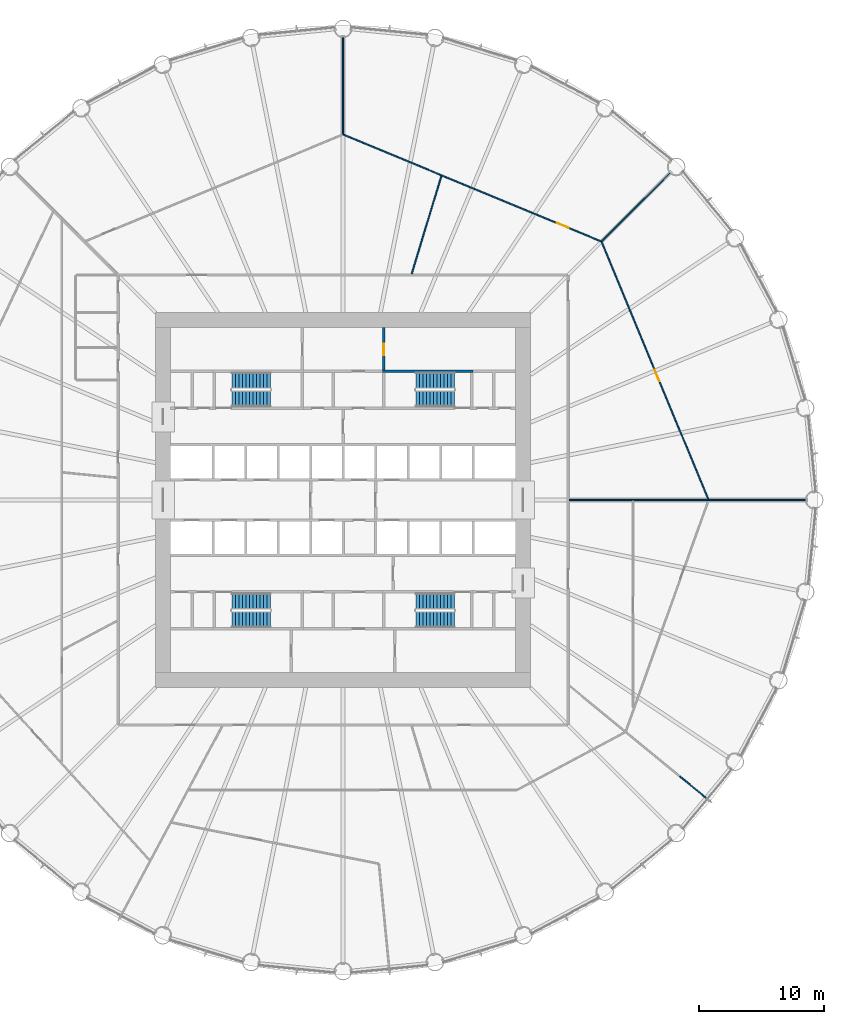
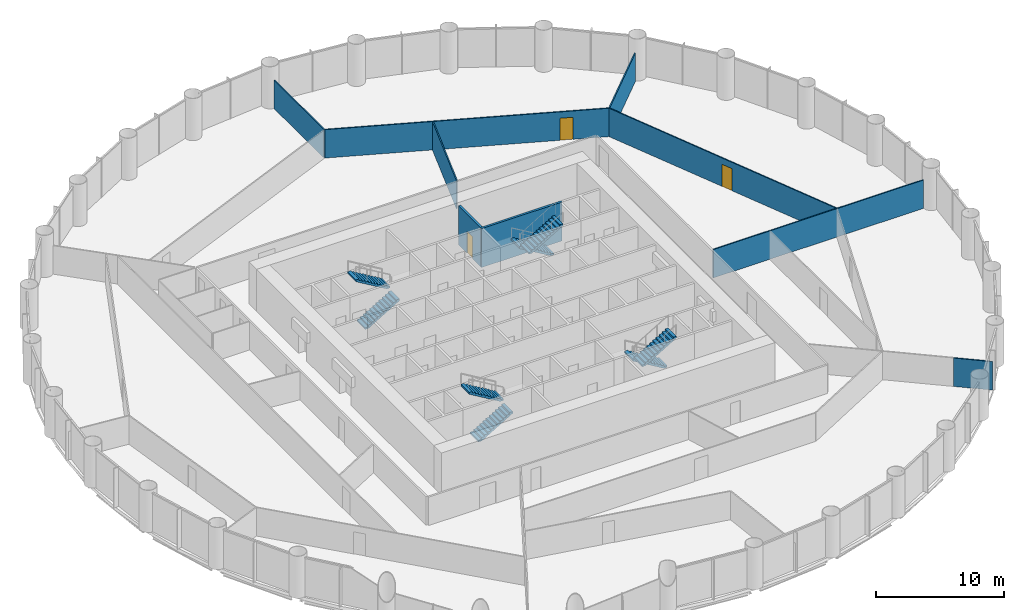
# One storey, part 14 of 15: 9 walls, 8 stair flights, 3 doors, 3 openings, 4 elements without a shape of their own.
"""IFC4 building model written with IfcOpenShell, lengths in metres."""

from ifc_helpers import new_model, si_unit, direction, frame, frame_2d, origin, place, context, subcontext, project, spatial, polyline, rectangle, outline, extrude, material, layer, layer_set, type_object, element, fill, aggregate, save


model = new_model("IFC4")

# Units and contexts
model_context = context("Model", 3, precision=1e-05, world=origin(), true_north=direction((0.0, 1.0)))
body_context = subcontext(model_context, "Body", "Model", "MODEL_VIEW")
ifc_project = project(units=[si_unit("LENGTHUNIT", "METRE"), si_unit("AREAUNIT", "SQUARE_METRE"), si_unit("VOLUMEUNIT", "CUBIC_METRE"), si_unit("PLANEANGLEUNIT", "RADIAN"), si_unit("MASSUNIT", "GRAM", prefix="KILO")], contexts=[model_context])

# Site, building, storey
site_placement = place(None, origin())
site = spatial("IfcSite", under=ifc_project, at=site_placement, CompositionType="ELEMENT")
building_placement = place(site_placement, origin())
building = spatial("IfcBuilding", under=site, at=building_placement, Name="Corvane Civic Tower", CompositionType="ELEMENT")
storey_placement = place(building_placement, frame((0.0, 0.0, 61.0)))
storey = spatial("IfcBuildingStorey", under=building, at=storey_placement, Name="L13", CompositionType="ELEMENT", Elevation=61.0)

# Wall, opening, door
ifc_material_1 = material(Name="Concrete C30/37", Category="concrete")
ifc_layer_1 = layer(ifc_material_1, 0.199951171875)
ifc_layer_set_1 = layer_set([ifc_layer_1], Name="Concrete C30/37")
wall_type_1 = type_object("IfcWallType", Name="CR-WALL-200", PredefinedType="PARTITIONING", material=ifc_layer_set_1)
wall_1_placement = place(storey_placement, frame((3.25, 10.39990234375, 0.0), z_axis=(0.0, 0.0, 1.0), x_axis=(0.0, 1.0, 0.0)))
wall_1 = element("IfcWall", 1, at=wall_1_placement, inside=storey, type_object=wall_type_1, Name="L13 partition wall", PredefinedType="PARTITIONING", context=body_context, shape_type="SweptSolid", body=[
    extrude(rectangle(XDim=3.400146484375, YDim=0.199951171875, at=frame_2d((1.7001953125, 0.0))), origin(), (0.0, 0.0, 1.0), 3.699951171875),
])
opening_1_placement = place(wall_1_placement, frame((1.199951171875, 0.0, 0.0)))
opening_1 = element("IfcOpeningElement", 2, at=opening_1_placement, cuts=wall_1, Name="Opening L13.C08", PredefinedType="OPENING", context=body_context, shape_type="SweptSolid", body=[
    extrude(rectangle(XDim=0.89990234375, YDim=2.10009765625, at=frame_2d((0.449951171875, 1.050048828125))), frame((0.0, 0.10986328125, 0.0), z_axis=(0.0, -1.0, 0.0), x_axis=(1.0, 0.0, 0.0)), (0.0, 0.0, 1.0), 0.219970703125),
])
ifc_material_2 = material(Name="Steel fire door leaf", Category="steel")
door_type_1 = type_object("IfcDoorType", Name="CR-DOOR-900", OperationType="SINGLE_SWING_LEFT", PredefinedType="DOOR", material=ifc_material_2)
door_1_placement = place(opening_1_placement, origin())
door_1 = element("IfcDoor", 3, at=door_1_placement, inside=storey, type_object=door_type_1, Name="L13 door", OperationType="SINGLE_SWING_LEFT", OverallHeight=2.10009765625, OverallWidth=0.89990234375, PredefinedType="DOOR", context=body_context, shape_type="SweptSolid", body=[
    extrude(rectangle(XDim=0.89990234375, YDim=2.10009765625, at=frame_2d((0.449951171875, 1.050048828125))), frame((0.0, 0.02490234375, 0.0), z_axis=(0.0, -1.0, 0.0), x_axis=(1.0, 0.0, 0.0)), (0.0, 0.0, 1.0), 0.050048828125),
])
fill(opening_1, door_1)

# Walls
ifc_material_3 = material(Name="Plasterboard")
ifc_layer_2 = layer(ifc_material_3, 0.10009765625)
ifc_layer_set_2 = layer_set([ifc_layer_2], Name="Plasterboard")
wall_type_2 = type_object("IfcWallType", Name="Partition 100 plasterboard on studs", PredefinedType="PARTITIONING", material=ifc_layer_set_2)
wall_2_placement = place(storey_placement, frame((26.934814453125, -22.104736328125, 0.0), z_axis=(0.0, 0.0, 1.0), x_axis=(0.773024942362, -0.634375628856, 0.0)))
element("IfcWall", 4, at=wall_2_placement, inside=storey, type_object=wall_type_2, Name="Partition L13.005", PredefinedType="PARTITIONING", context=body_context, shape_type="SweptSolid", body=[
    extrude(rectangle(XDim=3.106201171875, YDim=0.10009765625, at=frame_2d((1.55322265625, 0.0))), origin(), (0.0, 0.0, 1.0), 2.699951171875),
])
wall_3_placement = place(storey_placement, frame((18.074951171875, 0.0, 0.0), z_axis=(0.0, 0.0, 1.0), x_axis=(1.0, 0.0, 0.0)))
element("IfcWall", 5, at=wall_3_placement, inside=storey, type_object=wall_type_2, Name="Partition L13.019", PredefinedType="PARTITIONING", context=body_context, shape_type="SweptSolid", body=[
    extrude(rectangle(XDim=18.9150390625, YDim=0.10009765625, at=frame_2d((9.45751953125, 0.0))), origin(), (0.0, 0.0, 1.0), 2.699951171875),
])

# Wall, opening, door
wall_4_placement = place(storey_placement, frame((20.6884765625, 20.644775390625, 0.0), z_axis=(0.0, 0.0, 1.0), x_axis=(0.382682584539, -0.923879883692, 0.0)))
wall_4 = element("IfcWall", 6, at=wall_4_placement, inside=storey, type_object=wall_type_2, Name="Partition L13.020", PredefinedType="PARTITIONING", context=body_context, shape_type="SweptSolid", body=[
    extrude(rectangle(XDim=22.27099609375, YDim=0.10009765625, at=frame_2d((11.135498046875, 0.0))), origin(), (0.0, 0.0, 1.0), 2.699951171875),
])
opening_2_placement = place(wall_4_placement, frame((11.07177734375, 0.0, 0.0)))
opening_2 = element("IfcOpeningElement", 7, at=opening_2_placement, cuts=wall_4, Name="Opening L13.020", PredefinedType="OPENING", context=body_context, shape_type="SweptSolid", body=[
    extrude(rectangle(XDim=1.0, YDim=2.10009765625, at=frame_2d((0.5, 1.050048828125))), frame((0.0, 0.06005859375, 0.0), z_axis=(0.0, -1.0, 0.0), x_axis=(1.0, 0.0, 0.0)), (0.0, 0.0, 1.0), 0.1201171875),
])
ifc_material_4 = material(Name="Timber", Category="wood")
door_type_2 = type_object("IfcDoorType", Name="Single door 1000", OperationType="NOTDEFINED", PredefinedType="DOOR", material=ifc_material_4)
door_2_placement = place(opening_2_placement, origin())
door_2 = element("IfcDoor", 8, at=door_2_placement, inside=storey, type_object=door_type_2, Name="Door L13.020", OperationType="SINGLE_SWING_RIGHT", OverallHeight=2.10009765625, OverallWidth=1.0, PredefinedType="DOOR", context=body_context, shape_type="SweptSolid", body=[
    extrude(rectangle(XDim=1.0, YDim=2.10009765625, at=frame_2d((0.5, 1.050048828125))), frame((0.0, 0.02490234375, 0.0), z_axis=(0.0, -1.0, 0.0), x_axis=(1.0, 0.0, 0.0)), (0.0, 0.0, 1.0), 0.050048828125),
])
fill(opening_2, door_2)

# Wall
wall_5_placement = place(storey_placement, frame((5.4873046875, 18.089599609375, 0.0), z_axis=(0.0, 0.0, 1.0), x_axis=(0.290307025947, 0.956933556045, 0.0)))
element("IfcWall", 9, at=wall_5_placement, inside=storey, type_object=wall_type_2, Name="Partition L13.031", PredefinedType="PARTITIONING", context=body_context, shape_type="SweptSolid", body=[
    extrude(rectangle(XDim=8.18603515625, YDim=0.10009765625, at=frame_2d((4.093017578125, 0.0))), origin(), (0.0, 0.0, 1.0), 2.699951171875),
])

# Wall, opening, door
wall_6_placement = place(storey_placement, frame((0.031005859375, 29.22705078125, 0.0), z_axis=(0.0, 0.0, 1.0), x_axis=(0.923878402591, -0.382686160222, 0.0)))
wall_6 = element("IfcWall", 10, at=wall_6_placement, inside=storey, type_object=wall_type_2, Name="Partition L13.032", PredefinedType="PARTITIONING", context=body_context, shape_type="SweptSolid", body=[
    extrude(rectangle(XDim=22.312255859375, YDim=0.10009765625, at=frame_2d((11.15625, 0.0))), origin(), (0.0, 0.0, 1.0), 2.699951171875),
])
opening_3_placement = place(wall_6_placement, frame((18.4853515625, 0.0, 0.0)))
opening_3 = element("IfcOpeningElement", 11, at=opening_3_placement, cuts=wall_6, Name="Opening L13.019", PredefinedType="OPENING", context=body_context, shape_type="SweptSolid", body=[
    extrude(rectangle(XDim=1.0, YDim=2.10009765625, at=frame_2d((0.5, 1.050048828125))), frame((0.0, 0.06005859375, 0.0), z_axis=(0.0, -1.0, 0.0), x_axis=(1.0, 0.0, 0.0)), (0.0, 0.0, 1.0), 0.1201171875),
])
door_3_placement = place(opening_3_placement, origin())
door_3 = element("IfcDoor", 12, at=door_3_placement, inside=storey, type_object=door_type_2, Name="Door L13.019", OperationType="SINGLE_SWING_LEFT", OverallHeight=2.10009765625, OverallWidth=1.0, PredefinedType="DOOR", context=body_context, shape_type="SweptSolid", body=[
    extrude(rectangle(XDim=1.0, YDim=2.10009765625, at=frame_2d((0.5, 1.050048828125))), frame((0.0, 0.02490234375, 0.0), z_axis=(0.0, -1.0, 0.0), x_axis=(1.0, 0.0, 0.0)), (0.0, 0.0, 1.0), 0.050048828125),
])
fill(opening_3, door_3)

# Walls
wall_7_placement = place(storey_placement, frame((20.69921875, 20.69921875, 0.0), z_axis=(0.0, 0.0, 1.0), x_axis=(0.707106781187, 0.707106781187, 0.0)))
element("IfcWall", 13, at=wall_7_placement, inside=storey, type_object=wall_type_2, Name="Partition L13.034", PredefinedType="PARTITIONING", context=body_context, shape_type="SweptSolid", body=[
    extrude(rectangle(XDim=7.717041015625, YDim=0.10009765625, at=frame_2d((3.8583984375, 0.0))), origin(), (0.0, 0.0, 1.0), 2.699951171875),
])
wall_8_placement = place(storey_placement, frame((0.0, 29.273193359375, 0.0), z_axis=(0.0, 0.0, 1.0), x_axis=(0.0, 1.0, 0.0)))
element("IfcWall", 14, at=wall_8_placement, inside=storey, type_object=wall_type_2, Name="Partition L13.035", PredefinedType="PARTITIONING", context=body_context, shape_type="SweptSolid", body=[
    extrude(rectangle(XDim=7.716796875, YDim=0.10009765625, at=frame_2d((3.8583984375, 0.0))), origin(), (0.0, 0.0, 1.0), 2.699951171875),
])
ifc_material_5 = material(Name="Concrete C50/60", Category="concrete")
ifc_layer_3 = layer(ifc_material_5, 0.199951171875)
ifc_layer_set_3 = layer_set([ifc_layer_3], Name="Concrete C50/60")
wall_type_3 = type_object("IfcWallType", Name="ST-WALL-200", PredefinedType="SHEAR", material=ifc_layer_set_3)
wall_9_placement = place(storey_placement, origin())
element("IfcWall", 15, at=wall_9_placement, inside=storey, type_object=wall_type_3, Name="L13 stair enclosure wall", PredefinedType="SHEAR", context=body_context, shape_type="SweptSolid", body=[
    extrude(outline(polyline([(10.39990234375, 10.199951171875), (3.14990234375, 10.199951171875), (3.14990234375, 10.39990234375), (10.39990234375, 10.39990234375), (10.39990234375, 10.199951171875)])), origin(), (0.0, 0.0, 1.0), 3.699951171875),
])

# Stair, stair flights
ifc_material_6 = material(Name="Concrete C40/50", Category="concrete")
stair_type = type_object("IfcStairType", Name="ST-STAIR-HALFTURN", PredefinedType="HALF_TURN_STAIR", material=ifc_material_6)
stair_1_placement = place(storey_placement, origin())
stair_1 = element("IfcStair", 16, at=stair_1_placement, inside=storey, type_object=stair_type, Name="L13 Exit stair ST1", PredefinedType="HALF_TURN_STAIR")
ifc_material_7 = material(Name="Concrete C40/50", Category="concrete")
stair_flight_type = type_object("IfcStairFlightType", Name="ST-FLIGHT-RC", PredefinedType="STRAIGHT", material=ifc_material_7)
stair_flight_1_placement = place(storey_placement, frame((8.89990234375, 9.550048828125, 0.0), z_axis=(0.0, 0.0, 1.0), x_axis=(-1.0, 0.0, 0.0)))
stair_flight_1 = element("IfcStairFlight", 17, at=stair_flight_1_placement, type_object=stair_flight_type, Name="ST1 flight 1", NumberOfRisers=12, NumberOfTreads=11, PredefinedType="STRAIGHT", RiserHeight=0.166666667, TreadLength=0.28, context=body_context, shape_type="SweptSolid", body=[
    extrude(outline(polyline([(0.0, 0.0), (0.0, 0.166748046875), (0.280029296875, 0.166748046875), (0.280029296875, 0.333251953125), (0.56005859375, 0.333251953125), (0.56005859375, 0.5), (0.840087890625, 0.5), (0.840087890625, 0.666748046875), (1.1201171875, 0.666748046875), (1.1201171875, 0.833251953125), (1.39990234375, 0.833251953125), (1.39990234375, 1.0), (1.679931640625, 1.0), (1.679931640625, 1.166748046875), (1.9599609375, 1.166748046875), (1.9599609375, 1.333251953125), (2.239990234375, 1.333251953125), (2.239990234375, 1.5), (2.52001953125, 1.5), (2.52001953125, 1.666748046875), (2.800048828125, 1.666748046875), (2.800048828125, 1.833251953125), (3.080078125, 1.833251953125), (3.080078125, 2.0), (3.080078125, 1.658935546875), (0.29296875, 0.0), (0.0, 0.0)])), frame((0.0, 0.64990234375, 0.0), z_axis=(0.0, -1.0, 0.0), x_axis=(1.0, 0.0, 0.0)), (0.0, 0.0, 1.0), 1.300048828125),
])
stair_flight_2_placement = place(storey_placement, frame((5.820068359375, 8.10009765625, 2.0), z_axis=(0.0, 0.0, 1.0), x_axis=(1.0, 0.0, 0.0)))
stair_flight_2 = element("IfcStairFlight", 18, at=stair_flight_2_placement, type_object=stair_flight_type, Name="ST1 flight 2", NumberOfRisers=12, NumberOfTreads=11, PredefinedType="STRAIGHT", RiserHeight=0.166666667, TreadLength=0.28, context=body_context, shape_type="SweptSolid", body=[
    extrude(outline(polyline([(0.0, 0.0), (0.0, 0.166748046875), (0.280029296875, 0.166748046875), (0.280029296875, 0.333251953125), (0.56005859375, 0.333251953125), (0.56005859375, 0.5), (0.840087890625, 0.5), (0.840087890625, 0.666748046875), (1.1201171875, 0.666748046875), (1.1201171875, 0.833251953125), (1.39990234375, 0.833251953125), (1.39990234375, 1.0), (1.679931640625, 1.0), (1.679931640625, 1.166748046875), (1.9599609375, 1.166748046875), (1.9599609375, 1.333251953125), (2.239990234375, 1.333251953125), (2.239990234375, 1.5), (2.52001953125, 1.5), (2.52001953125, 1.666748046875), (2.800048828125, 1.666748046875), (2.800048828125, 1.833251953125), (3.080078125, 1.833251953125), (3.080078125, 2.0), (3.080078125, 1.658935546875), (0.29296875, 0.0), (0.0, 0.0)])), frame((0.0, 0.64990234375, 0.0), z_axis=(0.0, -1.0, 0.0), x_axis=(1.0, 0.0, 0.0)), (0.0, 0.0, 1.0), 1.300048828125),
])
aggregate(stair_1, [stair_flight_1, stair_flight_2])

stair_2_placement = place(storey_placement, origin())
stair_2 = element("IfcStair", 19, at=stair_2_placement, inside=storey, type_object=stair_type, Name="L13 Exit stair ST2", PredefinedType="HALF_TURN_STAIR")
stair_flight_3_placement = place(storey_placement, frame((8.89990234375, -8.10009765625, 0.0), z_axis=(0.0, 0.0, 1.0), x_axis=(-1.0, 0.0, 0.0)))
stair_flight_3 = element("IfcStairFlight", 20, at=stair_flight_3_placement, type_object=stair_flight_type, Name="ST2 flight 1", NumberOfRisers=12, NumberOfTreads=11, PredefinedType="STRAIGHT", RiserHeight=0.166666667, TreadLength=0.28, context=body_context, shape_type="SweptSolid", body=[
    extrude(outline(polyline([(0.0, 0.0), (0.0, 0.166748046875), (0.280029296875, 0.166748046875), (0.280029296875, 0.333251953125), (0.56005859375, 0.333251953125), (0.56005859375, 0.5), (0.840087890625, 0.5), (0.840087890625, 0.666748046875), (1.1201171875, 0.666748046875), (1.1201171875, 0.833251953125), (1.39990234375, 0.833251953125), (1.39990234375, 1.0), (1.679931640625, 1.0), (1.679931640625, 1.166748046875), (1.9599609375, 1.166748046875), (1.9599609375, 1.333251953125), (2.239990234375, 1.333251953125), (2.239990234375, 1.5), (2.52001953125, 1.5), (2.52001953125, 1.666748046875), (2.800048828125, 1.666748046875), (2.800048828125, 1.833251953125), (3.080078125, 1.833251953125), (3.080078125, 2.0), (3.080078125, 1.658935546875), (0.29296875, 0.0), (0.0, 0.0)])), frame((0.0, 0.64990234375, 0.0), z_axis=(0.0, -1.0, 0.0), x_axis=(1.0, 0.0, 0.0)), (0.0, 0.0, 1.0), 1.300048828125),
])
stair_flight_4_placement = place(storey_placement, frame((5.820068359375, -9.550048828125, 2.0), z_axis=(0.0, 0.0, 1.0), x_axis=(1.0, 0.0, 0.0)))
stair_flight_4 = element("IfcStairFlight", 21, at=stair_flight_4_placement, type_object=stair_flight_type, Name="ST2 flight 2", NumberOfRisers=12, NumberOfTreads=11, PredefinedType="STRAIGHT", RiserHeight=0.166666667, TreadLength=0.28, context=body_context, shape_type="SweptSolid", body=[
    extrude(outline(polyline([(0.0, 0.0), (0.0, 0.166748046875), (0.280029296875, 0.166748046875), (0.280029296875, 0.333251953125), (0.56005859375, 0.333251953125), (0.56005859375, 0.5), (0.840087890625, 0.5), (0.840087890625, 0.666748046875), (1.1201171875, 0.666748046875), (1.1201171875, 0.833251953125), (1.39990234375, 0.833251953125), (1.39990234375, 1.0), (1.679931640625, 1.0), (1.679931640625, 1.166748046875), (1.9599609375, 1.166748046875), (1.9599609375, 1.333251953125), (2.239990234375, 1.333251953125), (2.239990234375, 1.5), (2.52001953125, 1.5), (2.52001953125, 1.666748046875), (2.800048828125, 1.666748046875), (2.800048828125, 1.833251953125), (3.080078125, 1.833251953125), (3.080078125, 2.0), (3.080078125, 1.658935546875), (0.29296875, 0.0), (0.0, 0.0)])), frame((0.0, 0.64990234375, 0.0), z_axis=(0.0, -1.0, 0.0), x_axis=(1.0, 0.0, 0.0)), (0.0, 0.0, 1.0), 1.300048828125),
])
aggregate(stair_2, [stair_flight_3, stair_flight_4])

stair_3_placement = place(storey_placement, origin())
stair_3 = element("IfcStair", 22, at=stair_3_placement, inside=storey, type_object=stair_type, Name="L13 Exit stair ST3", PredefinedType="HALF_TURN_STAIR")
stair_flight_5_placement = place(storey_placement, frame((-8.89990234375, -9.550048828125, 0.0), z_axis=(0.0, 0.0, 1.0), x_axis=(1.0, 0.0, 0.0)))
stair_flight_5 = element("IfcStairFlight", 23, at=stair_flight_5_placement, type_object=stair_flight_type, Name="ST3 flight 1", NumberOfRisers=12, NumberOfTreads=11, PredefinedType="STRAIGHT", RiserHeight=0.166666667, TreadLength=0.28, context=body_context, shape_type="SweptSolid", body=[
    extrude(outline(polyline([(0.0, 0.0), (0.0, 0.166748046875), (0.280029296875, 0.166748046875), (0.280029296875, 0.333251953125), (0.56005859375, 0.333251953125), (0.56005859375, 0.5), (0.840087890625, 0.5), (0.840087890625, 0.666748046875), (1.1201171875, 0.666748046875), (1.1201171875, 0.833251953125), (1.39990234375, 0.833251953125), (1.39990234375, 1.0), (1.679931640625, 1.0), (1.679931640625, 1.166748046875), (1.9599609375, 1.166748046875), (1.9599609375, 1.333251953125), (2.239990234375, 1.333251953125), (2.239990234375, 1.5), (2.52001953125, 1.5), (2.52001953125, 1.666748046875), (2.800048828125, 1.666748046875), (2.800048828125, 1.833251953125), (3.080078125, 1.833251953125), (3.080078125, 2.0), (3.080078125, 1.658935546875), (0.29296875, 0.0), (0.0, 0.0)])), frame((0.0, 0.64990234375, 0.0), z_axis=(0.0, -1.0, 0.0), x_axis=(1.0, 0.0, 0.0)), (0.0, 0.0, 1.0), 1.300048828125),
])
stair_flight_6_placement = place(storey_placement, frame((-5.820068359375, -8.10009765625, 2.0), z_axis=(0.0, 0.0, 1.0), x_axis=(-1.0, 0.0, 0.0)))
stair_flight_6 = element("IfcStairFlight", 24, at=stair_flight_6_placement, type_object=stair_flight_type, Name="ST3 flight 2", NumberOfRisers=12, NumberOfTreads=11, PredefinedType="STRAIGHT", RiserHeight=0.166666667, TreadLength=0.28, context=body_context, shape_type="SweptSolid", body=[
    extrude(outline(polyline([(0.0, 0.0), (0.0, 0.166748046875), (0.280029296875, 0.166748046875), (0.280029296875, 0.333251953125), (0.56005859375, 0.333251953125), (0.56005859375, 0.5), (0.840087890625, 0.5), (0.840087890625, 0.666748046875), (1.1201171875, 0.666748046875), (1.1201171875, 0.833251953125), (1.39990234375, 0.833251953125), (1.39990234375, 1.0), (1.679931640625, 1.0), (1.679931640625, 1.166748046875), (1.9599609375, 1.166748046875), (1.9599609375, 1.333251953125), (2.239990234375, 1.333251953125), (2.239990234375, 1.5), (2.52001953125, 1.5), (2.52001953125, 1.666748046875), (2.800048828125, 1.666748046875), (2.800048828125, 1.833251953125), (3.080078125, 1.833251953125), (3.080078125, 2.0), (3.080078125, 1.658935546875), (0.29296875, 0.0), (0.0, 0.0)])), frame((0.0, 0.64990234375, 0.0), z_axis=(0.0, -1.0, 0.0), x_axis=(1.0, 0.0, 0.0)), (0.0, 0.0, 1.0), 1.300048828125),
])
aggregate(stair_3, [stair_flight_5, stair_flight_6])

stair_4_placement = place(storey_placement, origin())
stair_4 = element("IfcStair", 25, at=stair_4_placement, inside=storey, type_object=stair_type, Name="L13 Exit stair ST4", PredefinedType="HALF_TURN_STAIR")
stair_flight_7_placement = place(storey_placement, frame((-8.89990234375, 8.10009765625, 0.0), z_axis=(0.0, 0.0, 1.0), x_axis=(1.0, 0.0, 0.0)))
stair_flight_7 = element("IfcStairFlight", 26, at=stair_flight_7_placement, type_object=stair_flight_type, Name="ST4 flight 1", NumberOfRisers=12, NumberOfTreads=11, PredefinedType="STRAIGHT", RiserHeight=0.166666667, TreadLength=0.28, context=body_context, shape_type="SweptSolid", body=[
    extrude(outline(polyline([(0.0, 0.0), (0.0, 0.166748046875), (0.280029296875, 0.166748046875), (0.280029296875, 0.333251953125), (0.56005859375, 0.333251953125), (0.56005859375, 0.5), (0.840087890625, 0.5), (0.840087890625, 0.666748046875), (1.1201171875, 0.666748046875), (1.1201171875, 0.833251953125), (1.39990234375, 0.833251953125), (1.39990234375, 1.0), (1.679931640625, 1.0), (1.679931640625, 1.166748046875), (1.9599609375, 1.166748046875), (1.9599609375, 1.333251953125), (2.239990234375, 1.333251953125), (2.239990234375, 1.5), (2.52001953125, 1.5), (2.52001953125, 1.666748046875), (2.800048828125, 1.666748046875), (2.800048828125, 1.833251953125), (3.080078125, 1.833251953125), (3.080078125, 2.0), (3.080078125, 1.658935546875), (0.29296875, 0.0), (0.0, 0.0)])), frame((0.0, 0.64990234375, 0.0), z_axis=(0.0, -1.0, 0.0), x_axis=(1.0, 0.0, 0.0)), (0.0, 0.0, 1.0), 1.300048828125),
])
stair_flight_8_placement = place(storey_placement, frame((-5.820068359375, 9.550048828125, 2.0), z_axis=(0.0, 0.0, 1.0), x_axis=(-1.0, 0.0, 0.0)))
stair_flight_8 = element("IfcStairFlight", 27, at=stair_flight_8_placement, type_object=stair_flight_type, Name="ST4 flight 2", NumberOfRisers=12, NumberOfTreads=11, PredefinedType="STRAIGHT", RiserHeight=0.166666667, TreadLength=0.28, context=body_context, shape_type="SweptSolid", body=[
    extrude(outline(polyline([(0.0, 0.0), (0.0, 0.166748046875), (0.280029296875, 0.166748046875), (0.280029296875, 0.333251953125), (0.56005859375, 0.333251953125), (0.56005859375, 0.5), (0.840087890625, 0.5), (0.840087890625, 0.666748046875), (1.1201171875, 0.666748046875), (1.1201171875, 0.833251953125), (1.39990234375, 0.833251953125), (1.39990234375, 1.0), (1.679931640625, 1.0), (1.679931640625, 1.166748046875), (1.9599609375, 1.166748046875), (1.9599609375, 1.333251953125), (2.239990234375, 1.333251953125), (2.239990234375, 1.5), (2.52001953125, 1.5), (2.52001953125, 1.666748046875), (2.800048828125, 1.666748046875), (2.800048828125, 1.833251953125), (3.080078125, 1.833251953125), (3.080078125, 2.0), (3.080078125, 1.658935546875), (0.29296875, 0.0), (0.0, 0.0)])), frame((0.0, 0.64990234375, 0.0), z_axis=(0.0, -1.0, 0.0), x_axis=(1.0, 0.0, 0.0)), (0.0, 0.0, 1.0), 1.300048828125),
])
aggregate(stair_4, [stair_flight_7, stair_flight_8])

save(model, "model.ifc")
